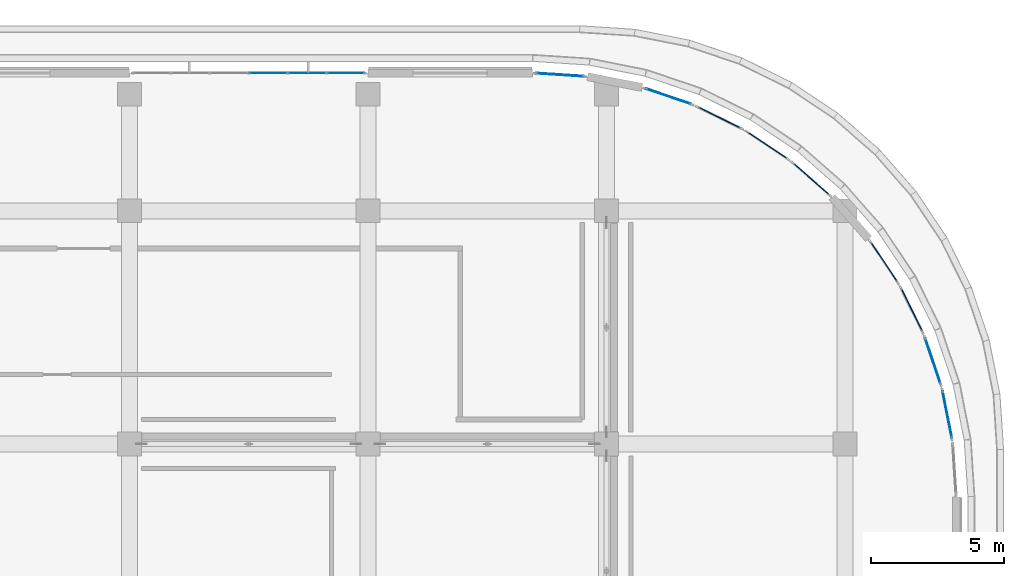
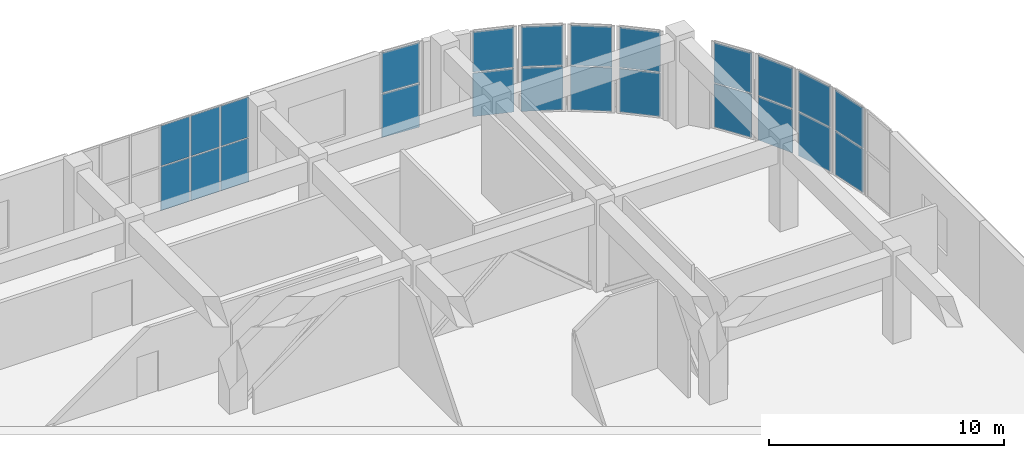
# One storey, part 56 of 96: 24 plates, 10 elements without a shape of their own.
"""IFC4 building model written with IfcOpenShell, lengths in metres."""

from ifc_helpers import new_model, si_unit, direction, frame, origin, origin_2d, place, context, subcontext, project, spatial, rectangle, extrude, material, layer, layer_set, type_object, element, aggregate, save


model = new_model("IFC4")

# Units and contexts
model_context = context("Model", 3, precision=1e-05, world=origin(), true_north=direction((0.0, 1.0)))
body_context = subcontext(model_context, "Body", "Model", "MODEL_VIEW")
ifc_project = project(units=[si_unit("LENGTHUNIT", "METRE"), si_unit("AREAUNIT", "SQUARE_METRE"), si_unit("VOLUMEUNIT", "CUBIC_METRE"), si_unit("PLANEANGLEUNIT", "RADIAN"), si_unit("MASSUNIT", "GRAM", prefix="KILO")], contexts=[model_context])

# Site, building, storey
site_placement = place(None, origin())
site = spatial("IfcSite", under=ifc_project, at=site_placement, CompositionType="ELEMENT")
building_placement = place(site_placement, origin())
building = spatial("IfcBuilding", under=site, at=building_placement, Name="Cendralis Terraced Arcade", CompositionType="ELEMENT")
storey_placement = place(building_placement, frame((0.0, 0.0, 10.199951171875)))
storey = spatial("IfcBuildingStorey", under=building, at=storey_placement, Name="L02", CompositionType="ELEMENT", Elevation=10.199951171875)

# Curtain wall, plates
ifc_material_1 = material(Name="Anodised aluminium EN AW-6063 T6", Category="aluminium")
ifc_layer_1 = layer(ifc_material_1, 0.1201171875, Name="CW-STORE-B")
ifc_layer_set_1 = layer_set([ifc_layer_1], Name="Anodised aluminium EN AW-6063 T6")
curtain_wall_type_1 = type_object("IfcCurtainWallType", Name="CW-STORE-B", PredefinedType="USERDEFINED", material=ifc_layer_set_1)
curtain_wall_1_placement = place(storey_placement, origin())
curtain_wall_1 = element("IfcCurtainWall", 1, at=curtain_wall_1_placement, inside=storey, type_object=curtain_wall_type_1, Name="Exterior Storefront Glazing CW-L02-0157", ObjectType="STOREFRONT GLAZING", PredefinedType="USERDEFINED")
ifc_material_2 = material(Name="Tempered solar control laminated glass", Category="glass")
ifc_layer_2 = layer(ifc_material_2, 0.02392578125, Name="CW-STORE-B-PNL")
ifc_layer_set_2 = layer_set([ifc_layer_2], Name="Tempered solar control laminated glass")
plate_type_1 = type_object("IfcPlateType", Name="CW-STORE-B-PNL", PredefinedType="CURTAIN_PANEL", material=ifc_layer_set_2)
plate_1_placement = place(storey_placement, frame((144.43505859375, 112.39990234375, 0.05517578125), z_axis=(0.0, 0.0, 1.0), x_axis=(1.0, 0.0, 0.0)))
plate_1 = element("IfcPlate", 2, at=plate_1_placement, type_object=plate_type_1, Name="CW-S2 panel 4.1", PredefinedType="CURTAIN_PANEL", context=body_context, shape_type="SweptSolid", body=[
    extrude(rectangle(XDim=1.4150390625, YDim=0.02392578125, at=origin_2d()), origin(), (0.0, 0.0, 1.0), 2.265380859375),
])
plate_2_placement = place(storey_placement, frame((144.43505859375, 112.39990234375, 2.37548828125), z_axis=(0.0, 0.0, 1.0), x_axis=(1.0, 0.0, 0.0)))
plate_2 = element("IfcPlate", 3, at=plate_2_placement, type_object=plate_type_1, Name="CW-S2 panel 4.2", PredefinedType="CURTAIN_PANEL", context=body_context, shape_type="SweptSolid", body=[
    extrude(rectangle(XDim=1.4150390625, YDim=0.02392578125, at=origin_2d()), origin(), (0.0, 0.0, 1.0), 2.084716796875),
])
plate_3_placement = place(storey_placement, frame((145.905029296875, 112.39990234375, 0.05517578125), z_axis=(0.0, 0.0, 1.0), x_axis=(1.0, 0.0, 0.0)))
plate_3 = element("IfcPlate", 4, at=plate_3_placement, type_object=plate_type_1, Name="CW-S2 panel 5.1", PredefinedType="CURTAIN_PANEL", context=body_context, shape_type="SweptSolid", body=[
    extrude(rectangle(XDim=1.4150390625, YDim=0.02392578125, at=origin_2d()), origin(), (0.0, 0.0, 1.0), 2.265380859375),
])
plate_4_placement = place(storey_placement, frame((145.905029296875, 112.39990234375, 2.37548828125), z_axis=(0.0, 0.0, 1.0), x_axis=(1.0, 0.0, 0.0)))
plate_4 = element("IfcPlate", 5, at=plate_4_placement, type_object=plate_type_1, Name="CW-S2 panel 5.2", PredefinedType="CURTAIN_PANEL", context=body_context, shape_type="SweptSolid", body=[
    extrude(rectangle(XDim=1.4150390625, YDim=0.02392578125, at=origin_2d()), origin(), (0.0, 0.0, 1.0), 2.084716796875),
])
plate_5_placement = place(storey_placement, frame((147.361328125, 112.39990234375, 0.05517578125), z_axis=(0.0, 0.0, 1.0), x_axis=(1.0, 0.0, 0.0)))
plate_5 = element("IfcPlate", 6, at=plate_5_placement, type_object=plate_type_1, Name="CW-S2 panel 6.1", PredefinedType="CURTAIN_PANEL", context=body_context, shape_type="SweptSolid", body=[
    extrude(rectangle(XDim=1.387451171875, YDim=0.02392578125, at=origin_2d()), origin(), (0.0, 0.0, 1.0), 2.265380859375),
])
plate_6_placement = place(storey_placement, frame((147.361328125, 112.39990234375, 2.37548828125), z_axis=(0.0, 0.0, 1.0), x_axis=(1.0, 0.0, 0.0)))
plate_6 = element("IfcPlate", 7, at=plate_6_placement, type_object=plate_type_1, Name="CW-S2 panel 6.2", PredefinedType="CURTAIN_PANEL", context=body_context, shape_type="SweptSolid", body=[
    extrude(rectangle(XDim=1.387451171875, YDim=0.02392578125, at=origin_2d()), origin(), (0.0, 0.0, 1.0), 2.084716796875),
])
aggregate(curtain_wall_1, [plate_1, plate_2, plate_3, plate_4, plate_5, plate_6])

ifc_layer_3 = layer(ifc_material_1, 0.179931640625, Name="CW-UNIT-A")
ifc_layer_set_3 = layer_set([ifc_layer_3], Name="Anodised aluminium EN AW-6063 T6")
curtain_wall_type_2 = type_object("IfcCurtainWallType", Name="CW-UNIT-A", PredefinedType="USERDEFINED", material=ifc_layer_set_3)
curtain_wall_2_placement = place(storey_placement, origin())
curtain_wall_2 = element("IfcCurtainWall", 8, at=curtain_wall_2_placement, inside=storey, type_object=curtain_wall_type_2, Name="Exterior Unitised Facade CW-L02-0158", ObjectType="UNITISED FACADE", PredefinedType="USERDEFINED")
ifc_layer_4 = layer(ifc_material_2, 0.035888671875, Name="CW-UNIT-A-PNL")
ifc_layer_set_4 = layer_set([ifc_layer_4], Name="Tempered solar control laminated glass")
plate_type_2 = type_object("IfcPlateType", Name="CW-UNIT-A-PNL", PredefinedType="CURTAIN_PANEL", material=ifc_layer_set_4)
plate_7_placement = place(storey_placement, frame((155.444091796875, 112.33154296875, 0.06494140625), z_axis=(0.0, 0.0, 1.0), x_axis=(0.997859242629, -0.065398256097, 0.0)))
plate_7 = element("IfcPlate", 9, at=plate_7_placement, type_object=plate_type_2, Name="CW-U1 panel 1.1", PredefinedType="CURTAIN_PANEL", context=body_context, shape_type="SweptSolid", body=[
    extrude(rectangle(XDim=1.782958984375, YDim=0.035888671875, at=origin_2d()), origin(), (0.0, 0.0, 1.0), 2.250244140625),
])
plate_8_placement = place(storey_placement, frame((155.444091796875, 112.33154296875, 2.38037109375), z_axis=(0.0, 0.0, 1.0), x_axis=(0.997859242629, -0.065398256097, 0.0)))
plate_8 = element("IfcPlate", 10, at=plate_8_placement, type_object=plate_type_2, Name="CW-U1 panel 1.2", PredefinedType="CURTAIN_PANEL", context=body_context, shape_type="SweptSolid", body=[
    extrude(rectangle(XDim=1.782958984375, YDim=0.035888671875, at=origin_2d()), origin(), (0.0, 0.0, 1.0), 2.069580078125),
])
aggregate(curtain_wall_2, [plate_7, plate_8])

curtain_wall_3_placement = place(storey_placement, origin())
curtain_wall_3 = element("IfcCurtainWall", 11, at=curtain_wall_3_placement, inside=storey, type_object=curtain_wall_type_2, Name="Exterior Unitised Facade CW-L02-0159", ObjectType="UNITISED FACADE", PredefinedType="USERDEFINED")
plate_9_placement = place(storey_placement, frame((159.531982421875, 111.5185546875, 0.06494140625), z_axis=(0.0, 0.0, 1.0), x_axis=(0.94692813167, -0.321445350645, 0.0)))
plate_9 = element("IfcPlate", 12, at=plate_9_placement, type_object=plate_type_2, Name="CW-U1 panel 1.1", PredefinedType="CURTAIN_PANEL", context=body_context, shape_type="SweptSolid", body=[
    extrude(rectangle(XDim=1.782958984375, YDim=0.035888671875, at=origin_2d()), origin(), (0.0, 0.0, 1.0), 2.250244140625),
])
plate_10_placement = place(storey_placement, frame((159.531982421875, 111.5185546875, 2.38037109375), z_axis=(0.0, 0.0, 1.0), x_axis=(0.94692813167, -0.321445350645, 0.0)))
plate_10 = element("IfcPlate", 13, at=plate_10_placement, type_object=plate_type_2, Name="CW-U1 panel 1.2", PredefinedType="CURTAIN_PANEL", context=body_context, shape_type="SweptSolid", body=[
    extrude(rectangle(XDim=1.782958984375, YDim=0.035888671875, at=origin_2d()), origin(), (0.0, 0.0, 1.0), 2.069580078125),
])
aggregate(curtain_wall_3, [plate_9, plate_10])

curtain_wall_4_placement = place(storey_placement, origin())
curtain_wall_4 = element("IfcCurtainWall", 14, at=curtain_wall_4_placement, inside=storey, type_object=curtain_wall_type_2, Name="Exterior Unitised Facade CW-L02-0160", ObjectType="UNITISED FACADE", PredefinedType="USERDEFINED")
plate_11_placement = place(storey_placement, frame((161.46142578125, 110.71923828125, 0.06494140625), z_axis=(0.0, 0.0, 1.0), x_axis=(0.896870586522, -0.442293060122, 0.0)))
plate_11 = element("IfcPlate", 15, at=plate_11_placement, type_object=plate_type_2, Name="CW-U1 panel 1.1", PredefinedType="CURTAIN_PANEL", context=body_context, shape_type="SweptSolid", body=[
    extrude(rectangle(XDim=1.782958984375, YDim=0.035888671875, at=origin_2d()), origin(), (0.0, 0.0, 1.0), 2.250244140625),
])
plate_12_placement = place(storey_placement, frame((161.46142578125, 110.71923828125, 2.38037109375), z_axis=(0.0, 0.0, 1.0), x_axis=(0.896870586522, -0.442293060122, 0.0)))
plate_12 = element("IfcPlate", 16, at=plate_12_placement, type_object=plate_type_2, Name="CW-U1 panel 1.2", PredefinedType="CURTAIN_PANEL", context=body_context, shape_type="SweptSolid", body=[
    extrude(rectangle(XDim=1.782958984375, YDim=0.035888671875, at=origin_2d()), origin(), (0.0, 0.0, 1.0), 2.069580078125),
])
aggregate(curtain_wall_4, [plate_11, plate_12])

curtain_wall_5_placement = place(storey_placement, origin())
curtain_wall_5 = element("IfcCurtainWall", 17, at=curtain_wall_5_placement, inside=storey, type_object=curtain_wall_type_2, Name="Exterior Unitised Facade CW-L02-0161", ObjectType="UNITISED FACADE", PredefinedType="USERDEFINED")
plate_13_placement = place(storey_placement, frame((163.27001953125, 109.675048828125, 0.06494140625), z_axis=(0.0, 0.0, 1.0), x_axis=(0.831494952872, -0.555532306305, 0.0)))
plate_13 = element("IfcPlate", 18, at=plate_13_placement, type_object=plate_type_2, Name="CW-U1 panel 1.1", PredefinedType="CURTAIN_PANEL", context=body_context, shape_type="SweptSolid", body=[
    extrude(rectangle(XDim=1.782958984375, YDim=0.035888671875, at=origin_2d()), origin(), (0.0, 0.0, 1.0), 2.250244140625),
])
plate_14_placement = place(storey_placement, frame((163.27001953125, 109.675048828125, 2.38037109375), z_axis=(0.0, 0.0, 1.0), x_axis=(0.831494952872, -0.555532306305, 0.0)))
plate_14 = element("IfcPlate", 19, at=plate_14_placement, type_object=plate_type_2, Name="CW-U1 panel 1.2", PredefinedType="CURTAIN_PANEL", context=body_context, shape_type="SweptSolid", body=[
    extrude(rectangle(XDim=1.782958984375, YDim=0.035888671875, at=origin_2d()), origin(), (0.0, 0.0, 1.0), 2.069580078125),
])
aggregate(curtain_wall_5, [plate_13, plate_14])

curtain_wall_6_placement = place(storey_placement, origin())
curtain_wall_6 = element("IfcCurtainWall", 20, at=curtain_wall_6_placement, inside=storey, type_object=curtain_wall_type_2, Name="Exterior Unitised Facade CW-L02-0162", ObjectType="UNITISED FACADE", PredefinedType="USERDEFINED")
plate_15_placement = place(storey_placement, frame((164.927001953125, 108.40380859375, 0.06494140625), z_axis=(0.0, 0.0, 1.0), x_axis=(0.751782754392, -0.659410866, 0.0)))
plate_15 = element("IfcPlate", 21, at=plate_15_placement, type_object=plate_type_2, Name="CW-U1 panel 1.1", PredefinedType="CURTAIN_PANEL", context=body_context, shape_type="SweptSolid", body=[
    extrude(rectangle(XDim=1.782958984375, YDim=0.035888671875, at=origin_2d()), origin(), (0.0, 0.0, 1.0), 2.250244140625),
])
plate_16_placement = place(storey_placement, frame((164.927001953125, 108.40380859375, 2.38037109375), z_axis=(0.0, 0.0, 1.0), x_axis=(0.751782754392, -0.659410866, 0.0)))
plate_16 = element("IfcPlate", 22, at=plate_16_placement, type_object=plate_type_2, Name="CW-U1 panel 1.2", PredefinedType="CURTAIN_PANEL", context=body_context, shape_type="SweptSolid", body=[
    extrude(rectangle(XDim=1.782958984375, YDim=0.035888671875, at=origin_2d()), origin(), (0.0, 0.0, 1.0), 2.069580078125),
])
aggregate(curtain_wall_6, [plate_15, plate_16])

curtain_wall_7_placement = place(storey_placement, origin())
curtain_wall_7 = element("IfcCurtainWall", 23, at=curtain_wall_7_placement, inside=storey, type_object=curtain_wall_type_2, Name="Exterior Unitised Facade CW-L02-0163", ObjectType="UNITISED FACADE", PredefinedType="USERDEFINED")
plate_17_placement = place(storey_placement, frame((167.675048828125, 105.27001953125, 0.06494140625), z_axis=(0.0, 0.0, 1.0), x_axis=(0.555532306305, -0.831494952872, 0.0)))
plate_17 = element("IfcPlate", 24, at=plate_17_placement, type_object=plate_type_2, Name="CW-U1 panel 1.1", PredefinedType="CURTAIN_PANEL", context=body_context, shape_type="SweptSolid", body=[
    extrude(rectangle(XDim=1.782958984375, YDim=0.035888671875, at=origin_2d()), origin(), (0.0, 0.0, 1.0), 2.250244140625),
])
plate_18_placement = place(storey_placement, frame((167.675048828125, 105.27001953125, 2.38037109375), z_axis=(0.0, 0.0, 1.0), x_axis=(0.555532306305, -0.831494952872, 0.0)))
plate_18 = element("IfcPlate", 25, at=plate_18_placement, type_object=plate_type_2, Name="CW-U1 panel 1.2", PredefinedType="CURTAIN_PANEL", context=body_context, shape_type="SweptSolid", body=[
    extrude(rectangle(XDim=1.782958984375, YDim=0.035888671875, at=origin_2d()), origin(), (0.0, 0.0, 1.0), 2.069580078125),
])
aggregate(curtain_wall_7, [plate_17, plate_18])

curtain_wall_8_placement = place(storey_placement, origin())
curtain_wall_8 = element("IfcCurtainWall", 26, at=curtain_wall_8_placement, inside=storey, type_object=curtain_wall_type_2, Name="Exterior Unitised Facade CW-L02-0164", ObjectType="UNITISED FACADE", PredefinedType="USERDEFINED")
plate_19_placement = place(storey_placement, frame((168.71923828125, 103.46142578125, 0.06494140625), z_axis=(0.0, 0.0, 1.0), x_axis=(0.442293060122, -0.896870586522, 0.0)))
plate_19 = element("IfcPlate", 27, at=plate_19_placement, type_object=plate_type_2, Name="CW-U1 panel 1.1", PredefinedType="CURTAIN_PANEL", context=body_context, shape_type="SweptSolid", body=[
    extrude(rectangle(XDim=1.782958984375, YDim=0.035888671875, at=origin_2d()), origin(), (0.0, 0.0, 1.0), 2.250244140625),
])
plate_20_placement = place(storey_placement, frame((168.71923828125, 103.46142578125, 2.38037109375), z_axis=(0.0, 0.0, 1.0), x_axis=(0.442293060122, -0.896870586522, 0.0)))
plate_20 = element("IfcPlate", 28, at=plate_20_placement, type_object=plate_type_2, Name="CW-U1 panel 1.2", PredefinedType="CURTAIN_PANEL", context=body_context, shape_type="SweptSolid", body=[
    extrude(rectangle(XDim=1.782958984375, YDim=0.035888671875, at=origin_2d()), origin(), (0.0, 0.0, 1.0), 2.069580078125),
])
aggregate(curtain_wall_8, [plate_19, plate_20])

curtain_wall_9_placement = place(storey_placement, origin())
curtain_wall_9 = element("IfcCurtainWall", 29, at=curtain_wall_9_placement, inside=storey, type_object=curtain_wall_type_2, Name="Exterior Unitised Facade CW-L02-0165", ObjectType="UNITISED FACADE", PredefinedType="USERDEFINED")
plate_21_placement = place(storey_placement, frame((169.5185546875, 101.531982421875, 0.06494140625), z_axis=(0.0, 0.0, 1.0), x_axis=(0.321445350645, -0.94692813167, 0.0)))
plate_21 = element("IfcPlate", 30, at=plate_21_placement, type_object=plate_type_2, Name="CW-U1 panel 1.1", PredefinedType="CURTAIN_PANEL", context=body_context, shape_type="SweptSolid", body=[
    extrude(rectangle(XDim=1.782958984375, YDim=0.035888671875, at=origin_2d()), origin(), (0.0, 0.0, 1.0), 2.250244140625),
])
plate_22_placement = place(storey_placement, frame((169.5185546875, 101.531982421875, 2.38037109375), z_axis=(0.0, 0.0, 1.0), x_axis=(0.321445350645, -0.94692813167, 0.0)))
plate_22 = element("IfcPlate", 31, at=plate_22_placement, type_object=plate_type_2, Name="CW-U1 panel 1.2", PredefinedType="CURTAIN_PANEL", context=body_context, shape_type="SweptSolid", body=[
    extrude(rectangle(XDim=1.782958984375, YDim=0.035888671875, at=origin_2d()), origin(), (0.0, 0.0, 1.0), 2.069580078125),
])
aggregate(curtain_wall_9, [plate_21, plate_22])

curtain_wall_10_placement = place(storey_placement, origin())
curtain_wall_10 = element("IfcCurtainWall", 32, at=curtain_wall_10_placement, inside=storey, type_object=curtain_wall_type_2, Name="Exterior Unitised Facade CW-L02-0166", ObjectType="UNITISED FACADE", PredefinedType="USERDEFINED")
plate_23_placement = place(storey_placement, frame((170.058837890625, 99.5146484375, 0.06494140625), z_axis=(0.0, 0.0, 1.0), x_axis=(0.195050346244, -0.980793231232, 0.0)))
plate_23 = element("IfcPlate", 33, at=plate_23_placement, type_object=plate_type_2, Name="CW-U1 panel 1.1", PredefinedType="CURTAIN_PANEL", context=body_context, shape_type="SweptSolid", body=[
    extrude(rectangle(XDim=1.782958984375, YDim=0.035888671875, at=origin_2d()), origin(), (0.0, 0.0, 1.0), 2.250244140625),
])
plate_24_placement = place(storey_placement, frame((170.058837890625, 99.5146484375, 2.38037109375), z_axis=(0.0, 0.0, 1.0), x_axis=(0.195050346244, -0.980793231232, 0.0)))
plate_24 = element("IfcPlate", 34, at=plate_24_placement, type_object=plate_type_2, Name="CW-U1 panel 1.2", PredefinedType="CURTAIN_PANEL", context=body_context, shape_type="SweptSolid", body=[
    extrude(rectangle(XDim=1.782958984375, YDim=0.035888671875, at=origin_2d()), origin(), (0.0, 0.0, 1.0), 2.069580078125),
])
aggregate(curtain_wall_10, [plate_23, plate_24])

save(model, "model.ifc")
